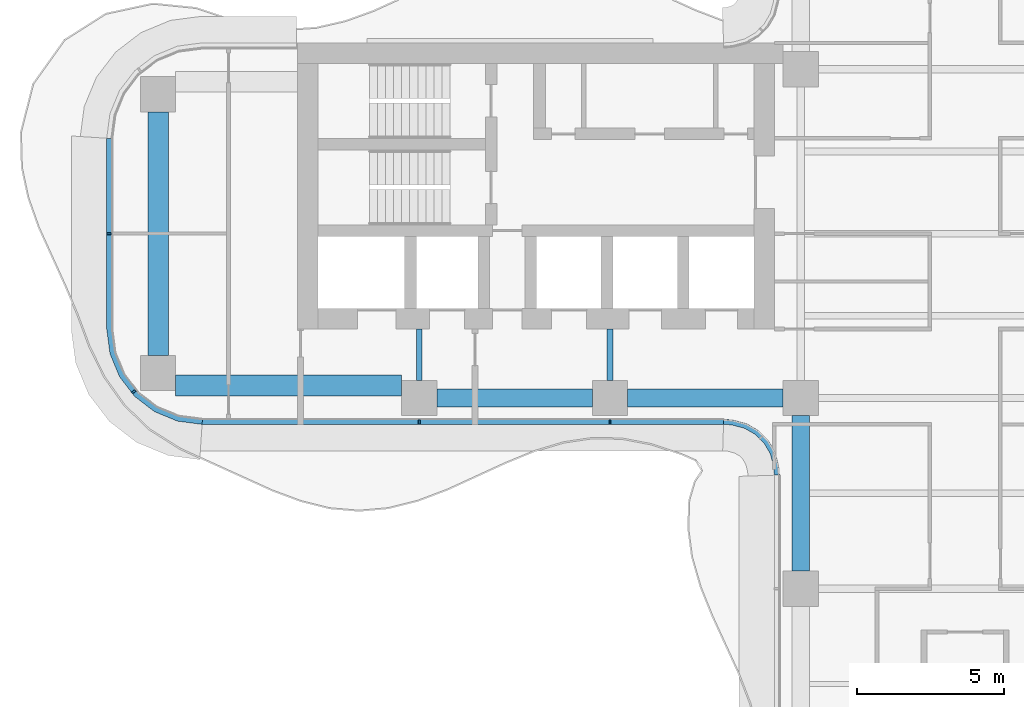
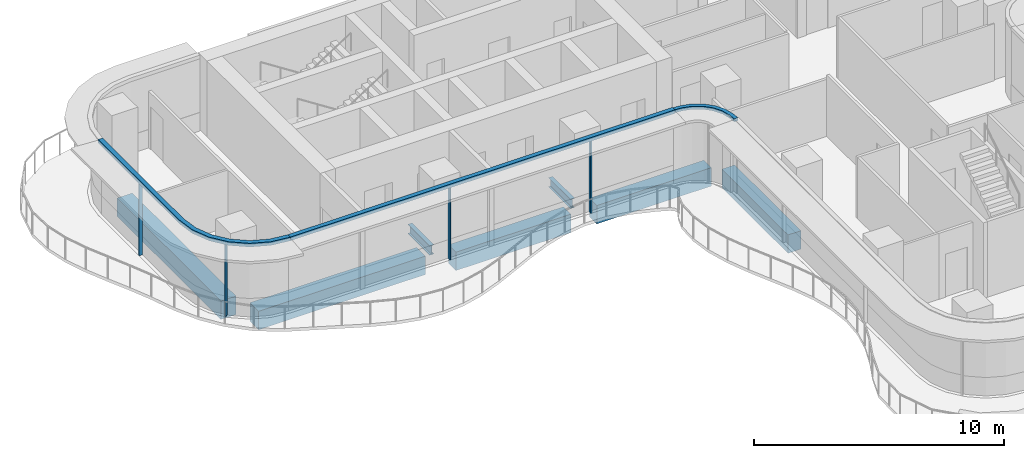
# One storey, part 3 of 19: 7 beams, 7 members, 3 elements without a shape of their own.
"""IFC4 building model written with IfcOpenShell, lengths in metres."""

import ifcopenshell
import ifcopenshell.guid

model = None  # the IFC model being written
_history = None  # IfcOwnerHistory: only IFC2X3 demands one
_inside = {}  # id of a spatial element -> (the spatial element, [elements in it])
_under = {}  # id of a project, library or spatial element -> (it, [spatial elements below it])
_declared = {}  # id of a project -> (the project, [libraries it declares])
_typed = {}  # id of a type object -> (the type object, [elements of that type])
_made_of = {}  # id of a material, layer set ... -> (it, [elements and type objects made of it])


def new_model(schema):
    """Start an empty IFC model of exactly this schema.

    Asked for "IFC4X3", IfcOpenShell would pick the latest addendum, in which some entities
    have other attributes; the version numbers below select the first issue.
    IFC2X3 requires an IfcOwnerHistory on every rooted entity: one is made here for all.
    """
    global model, _history
    if schema == "IFC4X3":
        model = ifcopenshell.file(schema_version=(4, 3, 0, 0))
    else:
        model = ifcopenshell.file(schema=schema)
    _inside.clear()
    _under.clear()
    _declared.clear()
    _typed.clear()
    _made_of.clear()
    _history = None
    if model.schema == "IFC2X3":
        org = make("IfcOrganization", Name="unknown")
        user = make(
            "IfcPersonAndOrganization",
            ThePerson=make("IfcPerson", FamilyName="unknown"),
            TheOrganization=org,
        )
        app = make(
            "IfcApplication",
            ApplicationDeveloper=org,
            Version="unknown",
            ApplicationFullName="unknown",
            ApplicationIdentifier="unknown",
        )
        _history = make(
            "IfcOwnerHistory",
            OwningUser=user,
            OwningApplication=app,
            ChangeAction="ADDED",
            CreationDate=0,
        )
    return model


def make(cls, **values):
    """One entity of the class cls with the attributes given. An attribute that is None is left unset."""
    return model.create_entity(
        cls, **{name: value for name, value in values.items() if value is not None}
    )


def rooted(cls, **values):
    """An entity with a GlobalId (a new one), such as an element, a storey or a relation."""
    return make(cls, GlobalId=ifcopenshell.guid.new(), OwnerHistory=_history, **values)


def si_unit(unit_type, name, prefix=None):
    """IfcSIUnit, for example si_unit("LENGTHUNIT", "METRE", prefix="MILLI")."""
    return make("IfcSIUnit", UnitType=unit_type, Prefix=prefix, Name=name)


def assignment(units):
    """IfcUnitAssignment: the units of a project."""
    return None if units is None else make("IfcUnitAssignment", Units=units)


def point(xyz):
    """IfcCartesianPoint."""
    return None if xyz is None else make("IfcCartesianPoint", Coordinates=xyz)


def direction(xyz):
    """IfcDirection."""
    return None if xyz is None else make("IfcDirection", DirectionRatios=xyz)


def frame(location, z_axis=None, x_axis=None):
    """IfcAxis2Placement3D, a coordinate frame: its origin and axes. An axis left out is left unset."""
    return make(
        "IfcAxis2Placement3D",
        Location=point(location),
        Axis=direction(z_axis),
        RefDirection=direction(x_axis),
    )


def frame_2d(location, x_axis=None):
    """IfcAxis2Placement2D, a coordinate frame in the plane: its origin and x axis."""
    return make(
        "IfcAxis2Placement2D", Location=point(location), RefDirection=direction(x_axis)
    )


def origin():
    """The frame at (0, 0, 0) with its axes left unset."""
    return frame((0.0, 0.0, 0.0))


def origin_2d():
    """The frame at (0, 0) in the plane with its x axis left unset."""
    return frame_2d((0.0, 0.0))


def place(relative_to, where):
    """IfcLocalPlacement: puts the frame where relative to a parent placement (None: the world)."""
    return make(
        "IfcLocalPlacement", PlacementRelTo=relative_to, RelativePlacement=where
    )


def context(
    kind, dimensions, precision=None, world=None, true_north=None, identifier=None
):
    """IfcGeometricRepresentationContext, for example the 3D "Model" context."""
    return make(
        "IfcGeometricRepresentationContext",
        ContextIdentifier=identifier,
        ContextType=kind,
        CoordinateSpaceDimension=dimensions,
        Precision=precision,
        WorldCoordinateSystem=world,
        TrueNorth=true_north,
    )


def subcontext(parent, identifier, kind, view, scale=None):
    """IfcGeometricRepresentationSubContext, for example "Body" below "Model"."""
    return make(
        "IfcGeometricRepresentationSubContext",
        ContextIdentifier=identifier,
        ContextType=kind,
        ParentContext=parent,
        TargetScale=scale,
        TargetView=view,
    )


def project(units=None, contexts=None):
    """IfcProject with its units and contexts."""
    return rooted(
        "IfcProject",
        Name="project",
        RepresentationContexts=contexts,
        UnitsInContext=assignment(units),
    )


def spatial(cls, under=None, at=None, **own):
    """A site, building, storey or space (cls), placed at a placement, below another one or the project."""
    s = rooted(cls, ObjectPlacement=at, **own)
    if under is not None:
        _under.setdefault(under.id(), (under, []))[1].append(s)
    return s


def polyline(points):
    """IfcPolyline through the points."""
    return make("IfcPolyline", Points=[point(p) for p in points])


def profile(cls, at=None, kind="AREA", **sizes):
    """A parametric profile (cls). Its sizes go by their IFC names, for example OverallWidth=200.0."""
    return make(cls, ProfileType=kind, Position=at, **sizes)


def rectangle(**sizes):
    """IfcRectangleProfileDef."""
    return profile("IfcRectangleProfileDef", **sizes)


def i_section(**sizes):
    """IfcIShapeProfileDef."""
    return profile("IfcIShapeProfileDef", **sizes)


def outline(outer, holes=None, kind="AREA"):
    """IfcArbitraryClosedProfileDef: a profile drawn as a closed curve; with holes, ...WithVoids."""
    if holes is None:
        return make("IfcArbitraryClosedProfileDef", ProfileType=kind, OuterCurve=outer)
    return make(
        "IfcArbitraryProfileDefWithVoids",
        ProfileType=kind,
        OuterCurve=outer,
        InnerCurves=holes,
    )


def extrude(swept, where, along, depth):
    """IfcExtrudedAreaSolid: the profile swept, set in the frame where, extruded along a direction by depth."""
    return make(
        "IfcExtrudedAreaSolid",
        SweptArea=swept,
        Position=where,
        ExtrudedDirection=direction(along),
        Depth=depth,
    )


def shape(context_of_items, identifier, shape_type, items):
    """IfcShapeRepresentation: the items that make up one representation, for example the "Body"."""
    return make(
        "IfcShapeRepresentation",
        ContextOfItems=context_of_items,
        RepresentationIdentifier=identifier,
        RepresentationType=shape_type,
        Items=items,
    )


def source(mapping_origin, context_of_items, identifier, shape_type, items):
    """IfcRepresentationMap: a shape defined once, which mapped items show again and again."""
    return make(
        "IfcRepresentationMap",
        MappingOrigin=mapping_origin,
        MappedRepresentation=shape(context_of_items, identifier, shape_type, items),
    )


def transform(
    local_origin,
    x_axis=None,
    y_axis=None,
    z_axis=None,
    scale=None,
    scale2=None,
    scale3=None,
    uniform=True,
):
    """IfcCartesianTransformationOperator3D, or its non-uniform kind. x_axis, y_axis, z_axis: its Axis1, 2, 3."""
    if uniform:
        return make(
            "IfcCartesianTransformationOperator3D",
            Axis1=direction(x_axis),
            Axis2=direction(y_axis),
            LocalOrigin=point(local_origin),
            Scale=scale,
            Axis3=direction(z_axis),
        )
    return make(
        "IfcCartesianTransformationOperator3DnonUniform",
        Axis1=direction(x_axis),
        Axis2=direction(y_axis),
        LocalOrigin=point(local_origin),
        Scale=scale,
        Axis3=direction(z_axis),
        Scale2=scale2,
        Scale3=scale3,
    )


def mapped(mapping_source, mapping_target):
    """IfcMappedItem: shows the shape of a source again, moved by a transform."""
    return make(
        "IfcMappedItem", MappingSource=mapping_source, MappingTarget=mapping_target
    )


def material(Name=None, Category=None):
    """IfcMaterial."""
    return make("IfcMaterial", Name=Name, Category=Category)


def layer(
    of_material, thickness, ventilated=None, Name=None, Category=None, Priority=None
):
    """IfcMaterialLayer: one layer of a wall or slab, of a material (None: an air gap)."""
    return make(
        "IfcMaterialLayer",
        Material=of_material,
        LayerThickness=thickness,
        IsVentilated=ventilated,
        Name=Name,
        Category=Category,
        Priority=Priority,
    )


def layer_set(layers, Name=None):
    """IfcMaterialLayerSet."""
    return make("IfcMaterialLayerSet", MaterialLayers=layers, LayerSetName=Name)


def material_profile(
    of_material, cross_section, Name=None, Category=None, Priority=None
):
    """IfcMaterialProfile: a cross section and its material."""
    return make(
        "IfcMaterialProfile",
        Name=Name,
        Material=of_material,
        Profile=cross_section,
        Priority=Priority,
        Category=Category,
    )


def profile_set(profiles, Name=None, composite=None):
    """IfcMaterialProfileSet."""
    return make(
        "IfcMaterialProfileSet",
        Name=Name,
        MaterialProfiles=profiles,
        CompositeProfile=composite,
    )


def made_of(thing, what):
    """Note that an element or type object is made of a material, layer set ...; save() writes the relation."""
    if what is not None:
        _made_of.setdefault(what.id(), (what, []))[1].append(thing)
    return thing


def type_object(cls, material=None, **own):
    """A type object (cls), such as IfcWallType, which elements share."""
    return made_of(rooted(cls, **own), material)


def element(
    cls,
    number,
    at=None,
    inside=None,
    cuts=None,
    type_object=None,
    material=None,
    context=None,
    identifier="Body",
    shape_type=None,
    held_by="IfcProductDefinitionShape",
    body=None,
    shapes=None,
    **own,
):
    """One element of the class cls, such as IfcWall. Its Tag is "e" and its number.

    at: its placement. inside: the storey or other place that contains it. cuts: it is an
    opening in that element (IfcRelVoidsElement). A single representation is given by context,
    identifier, shape_type and body (its items); several are given by shapes. held_by: the class
    of the entity that holds the representations. save() writes the other relations.
    """
    e = rooted(cls, Tag="e%d" % number, ObjectPlacement=at, **own)
    if body is not None:
        shapes = [shape(context, identifier, shape_type, body)]
    if shapes is not None:
        e.Representation = make(held_by, Representations=shapes)
    if inside is not None:
        _inside.setdefault(inside.id(), (inside, []))[1].append(e)
    if cuts is not None:
        rooted(
            "IfcRelVoidsElement", RelatingBuildingElement=cuts, RelatedOpeningElement=e
        )
    if type_object is not None:
        _typed.setdefault(type_object.id(), (type_object, []))[1].append(e)
    return made_of(e, material)


def aggregate(whole, parts):
    """IfcRelAggregates: a whole, such as a stair, and the parts it consists of."""
    return rooted("IfcRelAggregates", RelatingObject=whole, RelatedObjects=parts)


def save(model, path):
    """Write the relations noted so far, then the file.

    IfcRelAggregates (storeys below a building ...), IfcRelContainedInSpatialStructure (elements
    in a storey), IfcRelDefinesByType, IfcRelAssociatesMaterial and IfcRelDeclares: one each for
    every whole, place, type object, material and project.
    """
    for whole, parts in _under.values():
        aggregate(whole, parts)
    for where, things in _inside.values():
        rooted(
            "IfcRelContainedInSpatialStructure",
            RelatedElements=things,
            RelatingStructure=where,
        )
    for kind, things in _typed.values():
        rooted("IfcRelDefinesByType", RelatedObjects=things, RelatingType=kind)
    for what, things in _made_of.values():
        rooted("IfcRelAssociatesMaterial", RelatedObjects=things, RelatingMaterial=what)
    for by, libraries in _declared.values():
        rooted("IfcRelDeclares", RelatingContext=by, RelatedDefinitions=libraries)
    model.write(path)


model = new_model("IFC4")

# Units and contexts
model_context = context("Model", 3, precision=1e-05, world=origin(), true_north=direction((0.0, 1.0)))
body_context = subcontext(model_context, "Body", "Model", "MODEL_VIEW")
ifc_project = project(units=[si_unit("LENGTHUNIT", "METRE"), si_unit("AREAUNIT", "SQUARE_METRE"), si_unit("VOLUMEUNIT", "CUBIC_METRE"), si_unit("PLANEANGLEUNIT", "RADIAN"), si_unit("MASSUNIT", "GRAM", prefix="KILO")], contexts=[model_context])

# Site, building, storey
site_placement = place(None, origin())
site = spatial("IfcSite", under=ifc_project, at=site_placement, CompositionType="ELEMENT")
building_placement = place(site_placement, origin())
building = spatial("IfcBuilding", under=site, at=building_placement, Name="Trellis Farm Tower", CompositionType="ELEMENT")
storey_placement = place(building_placement, frame((0.0, 0.0, 197.10009765625)))
storey = spatial("IfcBuildingStorey", under=building, at=storey_placement, Name="L43", CompositionType="ELEMENT", Elevation=197.10009765625)

# Beams
ifc_material_1 = material(Name="Concrete C60/75", Category="concrete")
ifc_material_profile_1 = material_profile(ifc_material_1, rectangle(XDim=0.60009765625, YDim=0.89990234375, at=origin_2d()), Name="RC spandrel beam 600x900 C60/75")
ifc_profile_set_1 = profile_set([ifc_material_profile_1], Name="Concrete C60/75")
beam_type_1 = type_object("IfcBeamType", Name="RC spandrel beam 600x900 C60/75", PredefinedType="SPANDREL", material=ifc_profile_set_1)
shared_shape_1 = source(origin(), body_context, "Body", "SweptSolid", [
    extrude(rectangle(XDim=0.60009765625, YDim=0.89990234375, at=origin_2d()), origin(), (0.0, 0.0, 1.0), 5.300048828125),
])
for number, where, z_axis, x_axis, name in (
    (1, (-18.0, -5.60009765625, -0.650146484375), (1.0, 0.0, 0.0), (0.0, 1.0, 0.0), "Girder"),
    (2, (-11.5, -5.60009765625, -0.650146484375), (1.0, 0.0, 0.0), (0.0, 1.0, 0.0), "Girder"),
    (3, (-5.60009765625, -11.5, -0.650146484375), (0.0, 1.0, 0.0), (-1.0, 0.0, 0.0), "Girder"),
):
    element("IfcBeam", number, at=place(storey_placement, frame(where, z_axis=z_axis, x_axis=x_axis)), inside=storey, type_object=beam_type_1, Name=name, PredefinedType="SPANDREL", context=body_context, shape_type="MappedRepresentation", body=[
        mapped(shared_shape_1, transform((0.0, 0.0, 0.0))),
    ])
ifc_material_profile_2 = material_profile(ifc_material_1, rectangle(XDim=0.699951171875, YDim=0.89990234375, at=origin_2d()), Name="RC spandrel beam 700x900 C60/75")
ifc_profile_set_2 = profile_set([ifc_material_profile_2], Name="Concrete C60/75")
beam_type_2 = type_object("IfcBeamType", Name="RC spandrel beam 700x900 C60/75", PredefinedType="SPANDREL", material=ifc_profile_set_2)
shared_shape_2 = source(origin(), body_context, "Body", "SweptSolid", [
    extrude(rectangle(XDim=0.699951171875, YDim=0.89990234375, at=origin_2d()), origin(), (0.0, 0.0, 1.0), 8.2998046875),
])
beam_1_placement = place(storey_placement, frame((-27.5, -4.14990234375, -0.650146484375), z_axis=(0.0, 1.0, 0.0), x_axis=(-1.0, 0.0, 0.0)))
element("IfcBeam", 4, at=beam_1_placement, inside=storey, type_object=beam_type_2, Name="Girder", PredefinedType="SPANDREL", context=body_context, shape_type="MappedRepresentation", body=[
    mapped(shared_shape_2, transform((0.0, 0.0, 0.0))),
])
ifc_material_2 = material(Name="Steel S355", Category="steel")
ifc_material_profile_3 = material_profile(ifc_material_2, i_section(OverallWidth=0.1904296875, OverallDepth=0.45703125, WebThickness=0.009033203125, FlangeThickness=0.014404296875, FilletRadius=0.01025390625, at=origin_2d()), Name="UB 457x191x74")
ifc_profile_set_3 = profile_set([ifc_material_profile_3], Name="Steel S355")
beam_type_3 = type_object("IfcBeamType", Name="UB 457x191x74", PredefinedType="BEAM", material=ifc_profile_set_3)
shared_shape_3 = source(origin(), body_context, "Body", "SweptSolid", [
    extrude(i_section(OverallWidth=0.1904296875, OverallDepth=0.45703125, WebThickness=0.009033203125, FlangeThickness=0.014404296875, FilletRadius=0.01025390625, at=origin_2d()), origin(), (0.0, 0.0, 1.0), 1.75),
])
for number, where, z_axis, x_axis, name in (
    (5, (-18.60009765625, -5.0, -0.4287109375), (0.0, 1.0, 0.0), (-1.0, 0.0, 0.0), "Girder"),
    (6, (-12.10009765625, -5.0, -0.4287109375), (0.0, 1.0, 0.0), (-1.0, 0.0, 0.0), "Girder"),
):
    element("IfcBeam", number, at=place(storey_placement, frame(where, z_axis=z_axis, x_axis=x_axis)), inside=storey, type_object=beam_type_3, Name=name, PredefinedType="BEAM", context=body_context, shape_type="MappedRepresentation", body=[
        mapped(shared_shape_3, transform((0.0, 0.0, 0.0))),
    ])
shared_shape_4 = source(origin(), body_context, "Body", "SweptSolid", [
    extrude(rectangle(XDim=0.699951171875, YDim=0.89990234375, at=origin_2d()), origin(), (0.0, 0.0, 1.0), 7.699951171875),
])
beam_2_placement = place(storey_placement, frame((-26.89990234375, -5.175048828125, -0.650146484375), z_axis=(1.0, 0.0, 0.0), x_axis=(0.0, 1.0, 0.0)))
element("IfcBeam", 7, at=beam_2_placement, inside=storey, type_object=beam_type_2, Name="Girder", PredefinedType="SPANDREL", context=body_context, shape_type="MappedRepresentation", body=[
    mapped(shared_shape_4, transform((0.0, 0.0, 0.0))),
])

# Curtain wall, members
ifc_material_3 = material(Name="Aluminium and glass curtain wall", Category="aluminium")
ifc_layer_1 = layer(ifc_material_3, 0.18994140625)
ifc_layer_set_1 = layer_set([ifc_layer_1], Name="RIBBON CURTAIN WALL CW1")
curtain_wall_type_1 = type_object("IfcCurtainWallType", Name="RIBBON CURTAIN WALL CW1", PredefinedType="NOTDEFINED", material=ifc_layer_set_1)
placement_1 = place(storey_placement, origin())
curtain_wall_1 = element("IfcCurtainWall", 8, at=placement_1, inside=storey, type_object=curtain_wall_type_1, Name="CW1 001", PredefinedType="NOTDEFINED")
ifc_material_4 = material(Name="Aluminium extrusion 6063-T6", Category="aluminium")
ifc_material_profile_4 = material_profile(ifc_material_4, rectangle(XDim=0.06005859375, YDim=0.14990234375, at=origin_2d()), Name="MULLION 60x150")
ifc_profile_set_4 = profile_set([ifc_material_profile_4], Name="Aluminium extrusion 6063-T6")
member_type_1 = type_object("IfcMemberType", Name="CW1 MULLION 60x150", PredefinedType="MULLION", material=ifc_profile_set_4)
shared_shape_5 = source(origin(), body_context, "Body", "SweptSolid", [
    extrude(rectangle(XDim=0.06005859375, YDim=0.14990234375, at=origin_2d()), origin(), (0.0, 0.0, 1.0), 3.52001953125),
])
member_1_placement = place(storey_placement, frame((-18.60009765625, -6.425048828125, 0.0), z_axis=(0.0, 0.0, 1.0), x_axis=(1.0, 0.0, 0.0)))
member_1 = element("IfcMember", 9, at=member_1_placement, type_object=member_type_1, Name="MU1 001-01", PredefinedType="MULLION", context=body_context, shape_type="MappedRepresentation", body=[
    mapped(shared_shape_5, transform((0.0, 0.0, 0.0))),
])
member_2_placement = place(storey_placement, frame((-12.10009765625, -6.425048828125, 0.0), z_axis=(0.0, 0.0, 1.0), x_axis=(1.0, 0.0, 0.0)))
member_2 = element("IfcMember", 10, at=member_2_placement, type_object=member_type_1, Name="MU1 001-02", PredefinedType="MULLION", context=body_context, shape_type="MappedRepresentation", body=[
    mapped(shared_shape_5, transform((0.0, 0.0, 0.0))),
])

curtain_wall_2 = element("IfcCurtainWall", 11, at=placement_1, inside=storey, type_object=curtain_wall_type_1, Name="CW1 013", PredefinedType="NOTDEFINED")
member_3_placement = place(storey_placement, frame((-29.175048828125, 0.0, 0.0), z_axis=(0.0, 0.0, 1.0), x_axis=(0.0, -1.0, 0.0)))
member_3 = element("IfcMember", 12, at=member_3_placement, type_object=member_type_1, Name="MU1 013-01", PredefinedType="MULLION", context=body_context, shape_type="MappedRepresentation", body=[
    mapped(shared_shape_5, transform((0.0, 0.0, 0.0))),
])
member_4_placement = place(storey_placement, frame((-28.328369140625, -5.385498046875, 0.0), z_axis=(0.0, 0.0, 1.0), x_axis=(0.608761429009, -0.793353340291, 0.0)))
member_4 = element("IfcMember", 13, at=member_4_placement, type_object=member_type_1, Name="MU1 013-02", PredefinedType="MULLION", context=body_context, shape_type="MappedRepresentation", body=[
    mapped(shared_shape_5, transform((0.0, 0.0, 0.0))),
])

# Member
ifc_layer_2 = layer(ifc_material_4, 0.199951171875)
ifc_layer_set_2 = layer_set([ifc_layer_2], Name="Aluminium extrusion 6063-T6")
member_type_2 = type_object("IfcMemberType", Name="CW1 TRANSOM 200x180", PredefinedType="USERDEFINED", material=ifc_layer_set_2)
shared_shape_6 = source(origin(), body_context, "Body", "SweptSolid", [
    extrude(outline(polyline([(-26.0, -6.5), (-8.2314453125, -6.5), (-8.224853515625, -6.300048828125), (-25.98681640625, -6.300048828125), (-26.0, -6.5)])), origin(), (0.0, 0.0, 1.0), 0.179931640625),
])
placement_2 = place(storey_placement, frame((0.0, 0.0, 3.52001953125)))
member_5 = element("IfcMember", 14, at=placement_2, type_object=member_type_2, Name="TR1 001", ObjectType="TRANSOM", PredefinedType="USERDEFINED", context=body_context, shape_type="MappedRepresentation", body=[
    mapped(shared_shape_6, transform((0.0, 0.0, 0.0))),
])

aggregate(curtain_wall_1, [member_1, member_2, member_5])

shared_shape_7 = source(origin(), body_context, "Body", "SweptSolid", [
    extrude(outline(polyline([(-29.25, 3.25), (-29.25, -3.25), (-29.13916015625, -4.091064453125), (-28.814697265625, -4.875), (-28.298095703125, -5.548095703125), (-27.625, -6.064697265625), (-26.841064453125, -6.38916015625), (-26.0, -6.5), (-25.98681640625, -6.300048828125), (-26.7890625, -6.1943359375), (-27.524169921875, -5.889892578125), (-28.155517578125, -5.405517578125), (-28.639892578125, -4.774169921875), (-28.9443359375, -4.0390625), (-29.050048828125, -3.23681640625), (-29.050048828125, 3.23681640625), (-29.25, 3.25)])), origin(), (0.0, 0.0, 1.0), 0.179931640625),
])
member_6 = element("IfcMember", 15, at=placement_2, type_object=member_type_2, Name="TR1 013", ObjectType="TRANSOM", PredefinedType="USERDEFINED", context=body_context, shape_type="MappedRepresentation", body=[
    mapped(shared_shape_7, transform((0.0, 0.0, 0.0))),
])

aggregate(curtain_wall_2, [member_3, member_4, member_6])

# Curtain wall, member
ifc_layer_3 = layer(ifc_material_3, 0.166015625)
ifc_layer_set_3 = layer_set([ifc_layer_3], Name="WINTER GARDEN CURTAIN WALL CW3")
curtain_wall_type_2 = type_object("IfcCurtainWallType", Name="WINTER GARDEN CURTAIN WALL CW3", PredefinedType="NOTDEFINED", material=ifc_layer_set_3)
curtain_wall_3 = element("IfcCurtainWall", 16, at=placement_1, inside=storey, type_object=curtain_wall_type_2, Name="CW3 001", PredefinedType="NOTDEFINED")
ifc_layer_4 = layer(ifc_material_4, 0.169921875)
ifc_layer_set_4 = layer_set([ifc_layer_4], Name="Aluminium extrusion 6063-T6")
member_type_3 = type_object("IfcMemberType", Name="CW3 TRANSOM 170x150", PredefinedType="USERDEFINED", material=ifc_layer_set_4)
shared_shape_8 = source(origin(), body_context, "Body", "SweptSolid", [
    extrude(outline(polyline([(-8.2314453125, -6.5), (-8.01953125, -6.513916015625), (-7.91552734375, -6.527587890625), (-7.508544921875, -6.63671875), (-7.144287109375, -6.846923828125), (-6.846923828125, -7.144287109375), (-6.63671875, -7.508544921875), (-6.527587890625, -7.91552734375), (-6.513916015625, -8.01953125), (-6.5, -8.2314453125), (-6.330078125, -8.225830078125), (-6.3447265625, -8.0029296875), (-6.360595703125, -7.88232421875), (-6.478271484375, -7.44287109375), (-6.7109375, -7.0400390625), (-7.0400390625, -6.7109375), (-7.44287109375, -6.478271484375), (-7.88232421875, -6.360595703125), (-8.0029296875, -6.3447265625), (-8.225830078125, -6.330078125), (-8.2314453125, -6.5)])), origin(), (0.0, 0.0, 1.0), 0.150146484375),
])
member_7_placement = place(storey_placement, frame((0.0, 0.0, 3.5498046875)))
member_7 = element("IfcMember", 17, at=member_7_placement, type_object=member_type_3, Name="TR3 001", ObjectType="TRANSOM", PredefinedType="USERDEFINED", context=body_context, shape_type="MappedRepresentation", body=[
    mapped(shared_shape_8, transform((0.0, 0.0, 0.0))),
])
aggregate(curtain_wall_3, [member_7])

save(model, "model.ifc")
